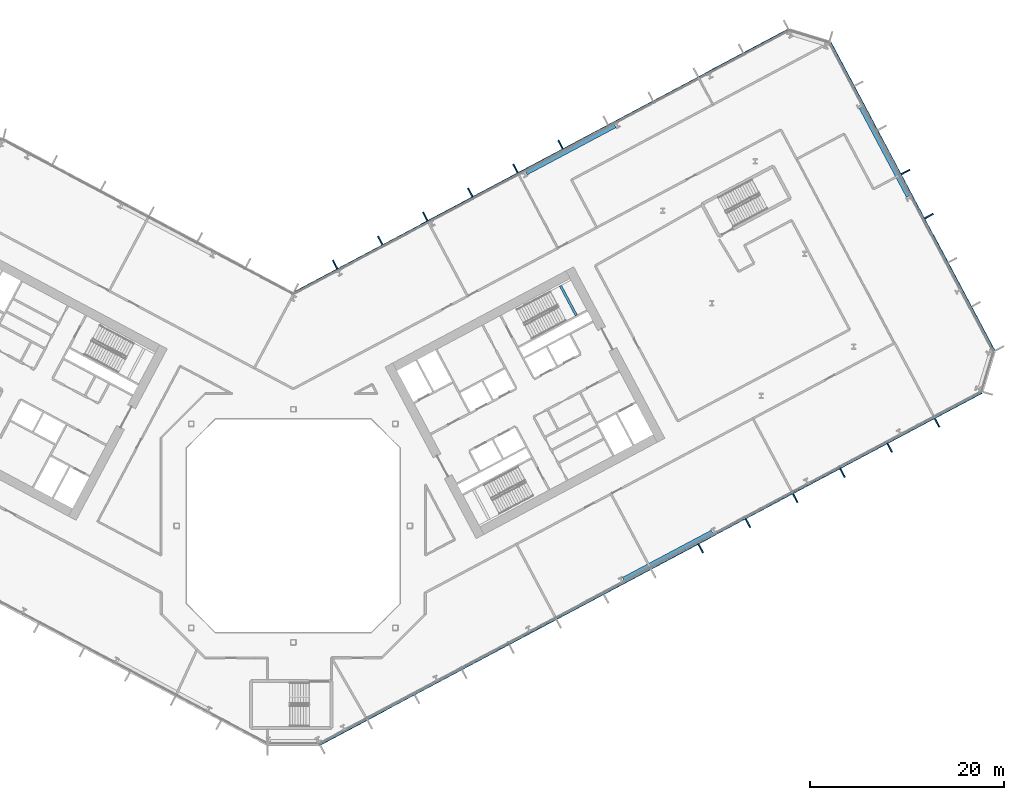
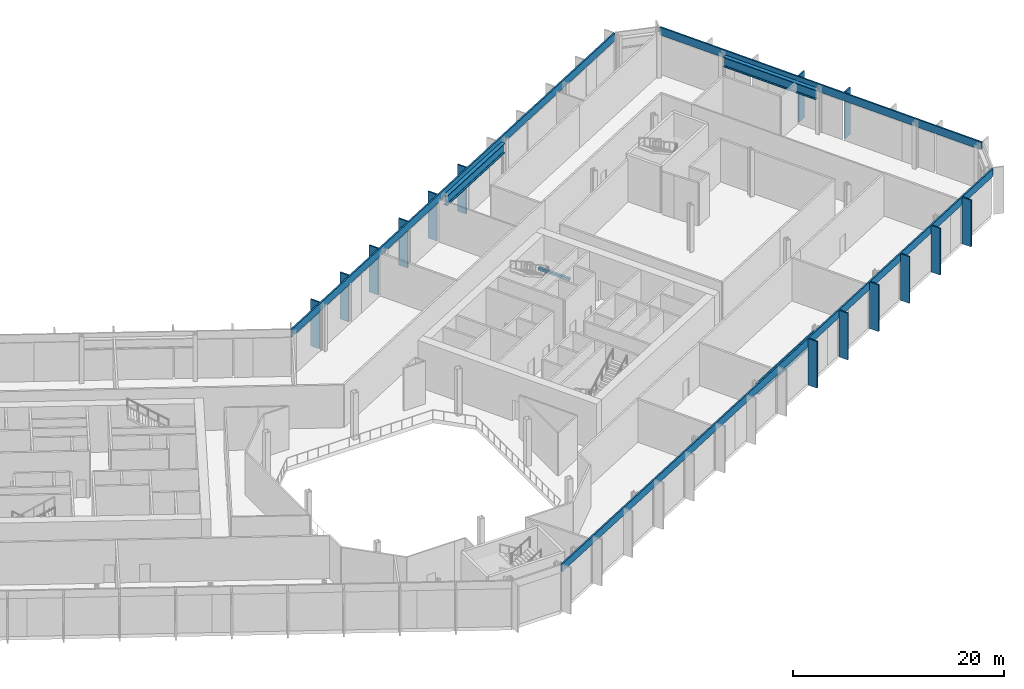
# One storey, part 7 of 30: 17 members, 4 beams, 3 elements without a shape of their own.
"""IFC4 building model written with IfcOpenShell, lengths in metres."""

from ifc_helpers import new_model, si_unit, direction, frame, origin, origin_2d, place, context, subcontext, project, spatial, rectangle, i_section, extrude, material, layer, layer_set, material_profile, profile_set, type_object, element, aggregate, save


model = new_model("IFC4")

# Units and contexts
model_context = context("Model", 3, precision=1e-05, world=origin(), true_north=direction((0.0, 1.0)))
body_context = subcontext(model_context, "Body", "Model", "MODEL_VIEW")
ifc_project = project(units=[si_unit("LENGTHUNIT", "METRE"), si_unit("AREAUNIT", "SQUARE_METRE"), si_unit("VOLUMEUNIT", "CUBIC_METRE"), si_unit("PLANEANGLEUNIT", "RADIAN"), si_unit("MASSUNIT", "GRAM", prefix="KILO")], contexts=[model_context])

# Site, building, storey
site_placement = place(None, origin())
site = spatial("IfcSite", under=ifc_project, at=site_placement, CompositionType="ELEMENT")
building_placement = place(site_placement, origin())
building = spatial("IfcBuilding", under=site, at=building_placement, Name="Cormorant Relay Tower", CompositionType="ELEMENT")
storey_placement = place(building_placement, frame((0.0, 0.0, 55.39990234375)))
storey = spatial("IfcBuildingStorey", under=building, at=storey_placement, Name="L10", CompositionType="ELEMENT", Elevation=55.39990234375)

# Curtain wall, members
ifc_material_1 = material(Name="Aluminium 6063-T6 anodised bronze", Category="aluminium")
ifc_layer = layer(ifc_material_1, 0.235107421875)
ifc_layer_set = layer_set([ifc_layer], Name="CW6 data hall curtain wall with mineral wool panels")
curtain_wall_type = type_object("IfcCurtainWallType", Name="CW6 data hall curtain wall with mineral wool panels", PredefinedType="NOTDEFINED", material=ifc_layer_set)
curtain_wall_1_placement = place(storey_placement, origin())
curtain_wall_1 = element("IfcCurtainWall", 1, at=curtain_wall_1_placement, inside=storey, type_object=curtain_wall_type, Name="CW6 curtain wall 2", PredefinedType="NOTDEFINED")
ifc_material_2 = material(Name="Aluminium 6063-T6 anodised bronze", Category="aluminium")
ifc_material_profile_1 = material_profile(ifc_material_2, rectangle(XDim=0.14990234375, YDim=1.0, at=origin_2d()), Name="AL 150x1000")
ifc_profile_set_1 = profile_set([ifc_material_profile_1], Name="Aluminium 6063-T6 anodised bronze")
member_type_1 = type_object("IfcMemberType", Name="CW6 bronze fin mullion 150 x 1000", PredefinedType="MULLION", material=ifc_profile_set_1)
member_1_placement = place(storey_placement, frame((41.92724609375, -2.3232421875, 0.0), z_axis=(0.0, 0.0, 1.0), x_axis=(0.882947592859, 0.469471562786, 0.0)))
member_1 = element("IfcMember", 2, at=member_1_placement, type_object=member_type_1, Name="CW6 fin 2.9", PredefinedType="MULLION", context=body_context, shape_type="SweptSolid", body=[
    extrude(rectangle(XDim=0.14990234375, YDim=1.0, at=origin_2d()), origin(), (0.0, 0.0, 1.0), 5.400146484375),
])
member_2_placement = place(storey_placement, frame((46.7939453125, 0.264404296875, 0.0), z_axis=(0.0, 0.0, 1.0), x_axis=(0.882947592859, 0.469471562786, 0.0)))
member_2 = element("IfcMember", 3, at=member_2_placement, type_object=member_type_1, Name="CW6 fin 2.10", PredefinedType="MULLION", context=body_context, shape_type="SweptSolid", body=[
    extrude(rectangle(XDim=0.14990234375, YDim=1.0, at=origin_2d()), origin(), (0.0, 0.0, 1.0), 5.400146484375),
])
member_3_placement = place(storey_placement, frame((51.66064453125, 2.85205078125, 0.0), z_axis=(0.0, 0.0, 1.0), x_axis=(0.882947592859, 0.469471562786, 0.0)))
member_3 = element("IfcMember", 4, at=member_3_placement, type_object=member_type_1, Name="CW6 fin 2.11", PredefinedType="MULLION", context=body_context, shape_type="SweptSolid", body=[
    extrude(rectangle(XDim=0.14990234375, YDim=1.0, at=origin_2d()), origin(), (0.0, 0.0, 1.0), 5.400146484375),
])
member_4_placement = place(storey_placement, frame((56.52734375, 5.439697265625, 0.0), z_axis=(0.0, 0.0, 1.0), x_axis=(0.882947592859, 0.469471562786, 0.0)))
member_4 = element("IfcMember", 5, at=member_4_placement, type_object=member_type_1, Name="CW6 fin 2.12", PredefinedType="MULLION", context=body_context, shape_type="SweptSolid", body=[
    extrude(rectangle(XDim=0.14990234375, YDim=1.0, at=origin_2d()), origin(), (0.0, 0.0, 1.0), 5.400146484375),
])
member_5_placement = place(storey_placement, frame((61.39404296875, 8.02734375, 0.0), z_axis=(0.0, 0.0, 1.0), x_axis=(0.882947592859, 0.469471562786, 0.0)))
member_5 = element("IfcMember", 6, at=member_5_placement, type_object=member_type_1, Name="CW6 fin 2.13", PredefinedType="MULLION", context=body_context, shape_type="SweptSolid", body=[
    extrude(rectangle(XDim=0.14990234375, YDim=1.0, at=origin_2d()), origin(), (0.0, 0.0, 1.0), 5.400146484375),
])
member_6_placement = place(storey_placement, frame((66.2607421875, 10.614990234375, 0.0), z_axis=(0.0, 0.0, 1.0), x_axis=(0.882947592859, 0.469471562786, 0.0)))
member_6 = element("IfcMember", 7, at=member_6_placement, type_object=member_type_1, Name="CW6 fin 2.14", PredefinedType="MULLION", context=body_context, shape_type="SweptSolid", body=[
    extrude(rectangle(XDim=0.14990234375, YDim=1.0, at=origin_2d()), origin(), (0.0, 0.0, 1.0), 5.400146484375),
])

curtain_wall_2_placement = place(storey_placement, origin())
curtain_wall_2 = element("IfcCurtainWall", 8, at=curtain_wall_2_placement, inside=storey, type_object=curtain_wall_type, Name="CW6 curtain wall 4", PredefinedType="NOTDEFINED")
member_7_placement = place(storey_placement, frame((65.428466796875, 31.876708984375, 0.0), z_axis=(0.0, 0.0, 1.0), x_axis=(-0.469471562786, 0.882947592859, 0.0)))
member_7 = element("IfcMember", 9, at=member_7_placement, type_object=member_type_1, Name="CW6 fin 4.4", PredefinedType="MULLION", context=body_context, shape_type="SweptSolid", body=[
    extrude(rectangle(XDim=0.14990234375, YDim=1.0, at=origin_2d()), origin(), (0.0, 0.0, 1.0), 5.400146484375),
])
member_8_placement = place(storey_placement, frame((63.013916015625, 36.41748046875, 0.0), z_axis=(0.0, 0.0, 1.0), x_axis=(-0.469471562786, 0.882947592859, 0.0)))
member_8 = element("IfcMember", 10, at=member_8_placement, type_object=member_type_1, Name="CW6 fin 4.5", PredefinedType="MULLION", context=body_context, shape_type="SweptSolid", body=[
    extrude(rectangle(XDim=0.14990234375, YDim=1.0, at=origin_2d()), origin(), (0.0, 0.0, 1.0), 5.400146484375),
])

curtain_wall_3_placement = place(storey_placement, origin())
curtain_wall_3 = element("IfcCurtainWall", 11, at=curtain_wall_3_placement, inside=storey, type_object=curtain_wall_type, Name="CW6 curtain wall 6", PredefinedType="NOTDEFINED")
member_9_placement = place(storey_placement, frame((27.50830078125, 39.242919921875, 0.0), z_axis=(0.0, 0.0, 1.0), x_axis=(-0.882947592859, -0.469471562786, 0.0)))
member_9 = element("IfcMember", 12, at=member_9_placement, type_object=member_type_1, Name="CW6 fin 6.6", PredefinedType="MULLION", context=body_context, shape_type="SweptSolid", body=[
    extrude(rectangle(XDim=0.14990234375, YDim=1.0, at=origin_2d()), origin(), (0.0, 0.0, 1.0), 5.400146484375),
])
member_10_placement = place(storey_placement, frame((22.8662109375, 36.7744140625, 0.0), z_axis=(0.0, 0.0, 1.0), x_axis=(-0.882947592859, -0.469471562786, 0.0)))
member_10 = element("IfcMember", 13, at=member_10_placement, type_object=member_type_1, Name="CW6 fin 6.7", PredefinedType="MULLION", context=body_context, shape_type="SweptSolid", body=[
    extrude(rectangle(XDim=0.14990234375, YDim=1.0, at=origin_2d()), origin(), (0.0, 0.0, 1.0), 5.400146484375),
])
member_11_placement = place(storey_placement, frame((18.223876953125, 34.30615234375, 0.0), z_axis=(0.0, 0.0, 1.0), x_axis=(-0.882947592859, -0.469471562786, 0.0)))
member_11 = element("IfcMember", 14, at=member_11_placement, type_object=member_type_1, Name="CW6 fin 6.8", PredefinedType="MULLION", context=body_context, shape_type="SweptSolid", body=[
    extrude(rectangle(XDim=0.14990234375, YDim=1.0, at=origin_2d()), origin(), (0.0, 0.0, 1.0), 5.400146484375),
])
member_12_placement = place(storey_placement, frame((13.58154296875, 31.837890625, 0.0), z_axis=(0.0, 0.0, 1.0), x_axis=(-0.882947592859, -0.469471562786, 0.0)))
member_12 = element("IfcMember", 15, at=member_12_placement, type_object=member_type_1, Name="CW6 fin 6.9", PredefinedType="MULLION", context=body_context, shape_type="SweptSolid", body=[
    extrude(rectangle(XDim=0.14990234375, YDim=1.0, at=origin_2d()), origin(), (0.0, 0.0, 1.0), 5.400146484375),
])
member_13_placement = place(storey_placement, frame((8.939453125, 29.36962890625, 0.0), z_axis=(0.0, 0.0, 1.0), x_axis=(-0.882947592859, -0.469471562786, 0.0)))
member_13 = element("IfcMember", 16, at=member_13_placement, type_object=member_type_1, Name="CW6 fin 6.10", PredefinedType="MULLION", context=body_context, shape_type="SweptSolid", body=[
    extrude(rectangle(XDim=0.14990234375, YDim=1.0, at=origin_2d()), origin(), (0.0, 0.0, 1.0), 5.400146484375),
])
member_14_placement = place(storey_placement, frame((4.297119140625, 26.9013671875, 0.0), z_axis=(0.0, 0.0, 1.0), x_axis=(-0.882947592859, -0.469471562786, 0.0)))
member_14 = element("IfcMember", 17, at=member_14_placement, type_object=member_type_1, Name="CW6 fin 6.11", PredefinedType="MULLION", context=body_context, shape_type="SweptSolid", body=[
    extrude(rectangle(XDim=0.14990234375, YDim=1.0, at=origin_2d()), origin(), (0.0, 0.0, 1.0), 5.400146484375),
])

# Member
ifc_material_3 = material(Name="Aluminium 6063-T6 anodised bronze", Category="aluminium")
ifc_material_profile_2 = material_profile(ifc_material_3, rectangle(XDim=0.159912109375, YDim=0.89990234375, at=origin_2d()), Name="AL 160x900")
ifc_profile_set_2 = profile_set([ifc_material_profile_2], Name="Aluminium 6063-T6 anodised bronze")
member_type_2 = type_object("IfcMemberType", Name="CW6 bronze transom 160 x 900", PredefinedType="USERDEFINED", material=ifc_profile_set_2)
member_15_placement = place(storey_placement, frame((2.7216796875, -22.512451171875, 4.9501953125), z_axis=(0.882946645884, 0.469473343783, 0.0), x_axis=(-0.469473343783, 0.882946645884, 0.0)))
member_15 = element("IfcMember", 18, at=member_15_placement, type_object=member_type_2, Name="CW6 transom 2", ObjectType="TRANSOM", PredefinedType="USERDEFINED", context=body_context, shape_type="SweptSolid", body=[
    extrude(rectangle(XDim=0.159912109375, YDim=0.89990234375, at=origin_2d()), origin(), (0.0, 0.0, 1.0), 77.165771484375),
])

aggregate(curtain_wall_1, [member_1, member_2, member_3, member_4, member_5, member_6, member_15])

member_16_placement = place(storey_placement, frame((72.15966796875, 17.981689453125, 4.9501953125), z_axis=(-0.469474517326, 0.882946021896, 0.0), x_axis=(-0.882946021896, -0.469474517326, 0.0)))
member_16 = element("IfcMember", 19, at=member_16_placement, type_object=member_type_2, Name="CW6 transom 4", ObjectType="TRANSOM", PredefinedType="USERDEFINED", context=body_context, shape_type="SweptSolid", body=[
    extrude(rectangle(XDim=0.159912109375, YDim=0.89990234375, at=origin_2d()), origin(), (0.0, 0.0, 1.0), 36.0),
])

aggregate(curtain_wall_2, [member_7, member_8, member_16])

member_17_placement = place(storey_placement, frame((50.99169921875, 51.072265625, 4.9501953125), z_axis=(-0.882948196078, -0.469470428295, 0.0), x_axis=(0.469470428295, -0.882948196078, 0.0)))
member_17 = element("IfcMember", 20, at=member_17_placement, type_object=member_type_2, Name="CW6 transom 6", ObjectType="TRANSOM", PredefinedType="USERDEFINED", context=body_context, shape_type="SweptSolid", body=[
    extrude(rectangle(XDim=0.159912109375, YDim=0.89990234375, at=origin_2d()), origin(), (0.0, 0.0, 1.0), 57.833984375),
])

aggregate(curtain_wall_3, [member_9, member_10, member_11, member_12, member_13, member_14, member_17])

# Beams
ifc_material_4 = material(Name="Steel ASTM A992 (Fy 345 MPa)", Category="steel")
ifc_material_profile_3 = material_profile(ifc_material_4, i_section(OverallWidth=0.408935546875, OverallDepth=1.137939453125, WebThickness=0.031005859375, FlangeThickness=0.05517578125, FilletRadius=0.02001953125, at=origin_2d()), Name="W1100x607")
ifc_profile_set_3 = profile_set([ifc_material_profile_3], Name="Steel ASTM A992 (Fy 345 MPa)")
beam_type_1 = type_object("IfcBeamType", Name="Spandrel W1100x607", PredefinedType="SPANDREL", material=ifc_profile_set_3)
for number, where, z_axis, x_axis, name in (
    (21, (33.9716796875, -5.4892578125, 4.381103515625), (0.882947604656, 0.469471540599, 0.0), (-0.469471540599, 0.882947604656, 0.0), "Spandrel beam L10-002"),
    (22, (63.289306640625, 33.898681640625, 4.381103515625), (-0.469471540599, 0.882947604656, 0.0), (-0.882947604656, -0.469471540599, 0.0), "Spandrel beam L10-004"),
):
    element("IfcBeam", number, at=place(storey_placement, frame(where, z_axis=z_axis, x_axis=x_axis)), inside=storey, type_object=beam_type_1, Name=name, PredefinedType="SPANDREL", context=body_context, shape_type="SweptSolid", body=[
        extrude(i_section(OverallWidth=0.408935546875, OverallDepth=1.137939453125, WebThickness=0.031005859375, FlangeThickness=0.05517578125, FilletRadius=0.02001953125, at=origin_2d()), origin(), (0.0, 0.0, 1.0), 10.36376953125),
    ])
beam_1_placement = place(storey_placement, frame((33.132080078125, 41.169189453125, 4.381103515625), z_axis=(-0.882942412403, -0.469481305677, 0.0), x_axis=(0.469481305677, -0.882942412403, 0.0)))
element("IfcBeam", 23, at=beam_1_placement, inside=storey, type_object=beam_type_1, Name="Spandrel beam L10-006", PredefinedType="SPANDREL", context=body_context, shape_type="SweptSolid", body=[
    extrude(i_section(OverallWidth=0.408935546875, OverallDepth=1.137939453125, WebThickness=0.031005859375, FlangeThickness=0.05517578125, FilletRadius=0.02001953125, at=origin_2d()), origin(), (0.0, 0.0, 1.0), 10.363525390625),
])
ifc_material_5 = material(Name="Concrete 50 MPa", Category="concrete")
ifc_material_profile_4 = material_profile(ifc_material_5, rectangle(XDim=0.25, YDim=0.300048828125, at=origin_2d()), Name="RC 250x300")
ifc_profile_set_4 = profile_set([ifc_material_profile_4], Name="Concrete 50 MPa")
beam_type_2 = type_object("IfcBeamType", Name="Stair landing ledge beam 250x300", PredefinedType="BEAM", material=ifc_profile_set_4)
beam_2_placement = place(storey_placement, frame((29.1259765625, 21.6591796875, 2.35009765625), z_axis=(-0.469493252696, 0.882936059788, 0.0), x_axis=(-0.882936059788, -0.469493252696, 0.0)))
element("IfcBeam", 24, at=beam_2_placement, inside=storey, type_object=beam_type_2, Name="B2 landing ledge beam", PredefinedType="BEAM", context=body_context, shape_type="SweptSolid", body=[
    extrude(rectangle(XDim=0.25, YDim=0.300048828125, at=origin_2d()), origin(), (0.0, 0.0, 1.0), 3.44970703125),
])

save(model, "model.ifc")
